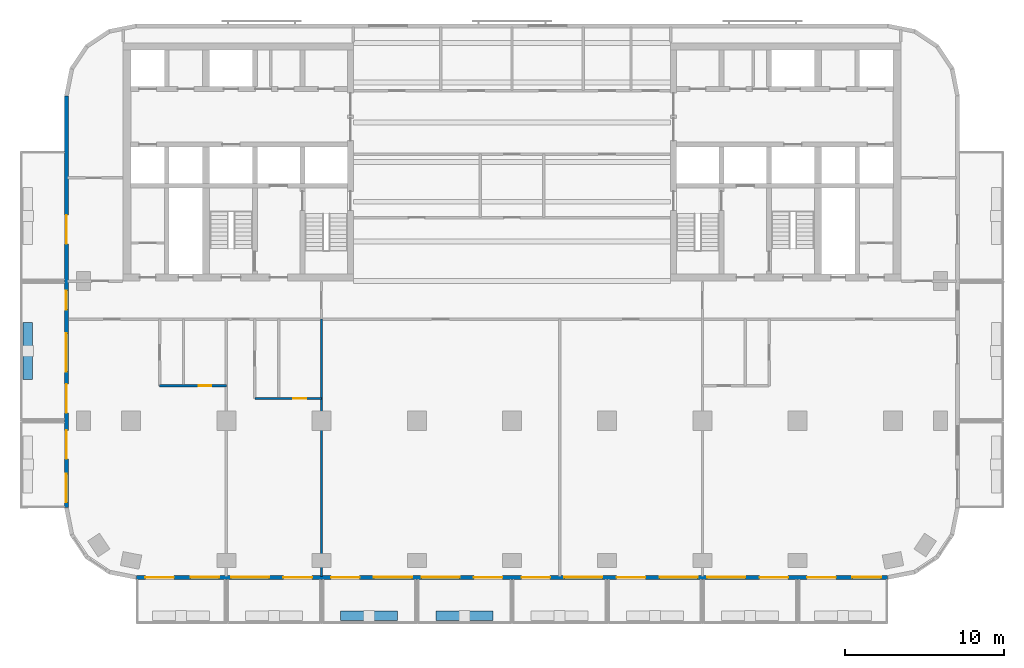
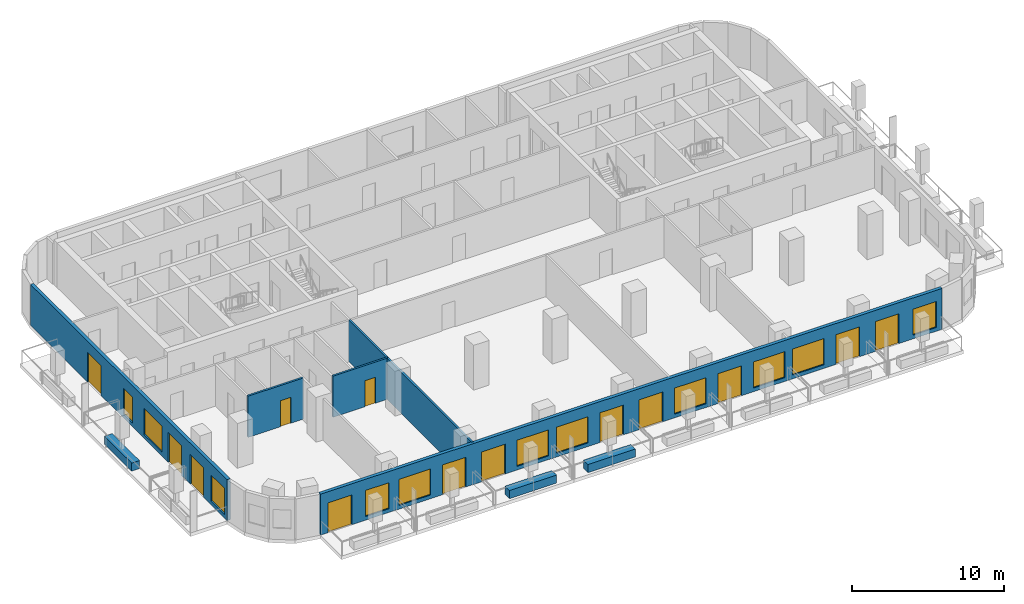
# One storey, part 2 of 11: 13 doors, 11 windows, 8 walls, 24 openings.
"""IFC4 building model written with IfcOpenShell, lengths in metres."""

from ifc_helpers import new_model, si_unit, direction, frame, frame_2d, origin, place, context, subcontext, project, spatial, rectangle, extrude, material, layer, layer_set, type_object, element, fill, save


model = new_model("IFC4")

# Units and contexts
model_context = context("Model", 3, precision=1e-05, world=origin(), true_north=direction((0.0, 1.0)))
body_context = subcontext(model_context, "Body", "Model", "MODEL_VIEW")
ifc_project = project(units=[si_unit("LENGTHUNIT", "METRE"), si_unit("AREAUNIT", "SQUARE_METRE"), si_unit("VOLUMEUNIT", "CUBIC_METRE"), si_unit("PLANEANGLEUNIT", "RADIAN"), si_unit("MASSUNIT", "GRAM", prefix="KILO")], contexts=[model_context])

# Site, building, storey
site_placement = place(None, origin())
site = spatial("IfcSite", under=ifc_project, at=site_placement, CompositionType="ELEMENT")
building_placement = place(site_placement, origin())
building = spatial("IfcBuilding", under=site, at=building_placement, Name="Torana Hotel and Residences", CompositionType="ELEMENT")
storey_placement = place(building_placement, frame((0.0, 0.0, 174.0)))
storey = spatial("IfcBuildingStorey", under=building, at=storey_placement, Name="L45", CompositionType="ELEMENT", Elevation=174.0)

# Wall, openings, doors, windows
ifc_material_1 = material(Name="Black aluminium composite panel", Category="aluminium")
ifc_layer_1 = layer(ifc_material_1, 0.00390625, Name="Cladding", Category="cladding")
ifc_material_2 = material(Name="Ventilated air cavity")
ifc_layer_2 = layer(ifc_material_2, 0.0400390625, Name="Ventilated cavity", Category="cavity")
ifc_material_3 = material(Name="Mineral wool insulation")
ifc_layer_3 = layer(ifc_material_3, 0.090087890625, Name="Insulation", Category="insulation")
ifc_material_4 = material(Name="Steel S280GD", Category="steel")
ifc_layer_4 = layer(ifc_material_4, 0.092041015625, Name="Steel stud frame", Category="structure")
ifc_material_5 = material(Name="Fire rated plasterboard")
ifc_layer_5 = layer(ifc_material_5, 0.011962890625, Name="Inner board", Category="finish")
ifc_layer_6 = layer(ifc_material_5, 0.011962890625, Name="Second board", Category="finish")
ifc_layer_set_1 = layer_set([ifc_layer_1, ifc_layer_2, ifc_layer_3, ifc_layer_4, ifc_layer_5, ifc_layer_6], Name="EW1 EXTERNAL WALL BLACK METAL CLAD 250")
wall_type_1 = type_object("IfcWallType", Name="EW1 EXTERNAL WALL BLACK METAL CLAD 250", PredefinedType="SOLIDWALL", material=ifc_layer_set_1)
wall_1_placement = place(storey_placement, frame((-28.074951171875, -3.32470703125, 0.0), z_axis=(0.0, 0.0, 1.0), x_axis=(0.0, -1.0, 0.0)))
wall_1 = element("IfcWall", 1, at=wall_1_placement, inside=storey, type_object=wall_type_1, Name="External wall L45 e0.9", PredefinedType="SOLIDWALL", context=body_context, shape_type="SweptSolid", body=[
    extrude(rectangle(XDim=25.95068359375, YDim=0.25, at=frame_2d((12.975341796875, 0.0))), origin(), (0.0, 0.0, 1.0), 3.300048828125),
])
opening_1_placement = place(wall_1_placement, frame((7.525390625, 0.0, 0.0)))
opening_1 = element("IfcOpeningElement", 2, at=opening_1_placement, cuts=wall_1, Name="Opening L45-E12", PredefinedType="OPENING", context=body_context, shape_type="SweptSolid", body=[
    extrude(rectangle(XDim=1.800048828125, YDim=2.39990234375, at=frame_2d((0.89990234375, 1.199951171875))), frame((0.0, 0.135009765625, 0.0), z_axis=(0.0, -1.0, 0.0), x_axis=(1.0, 0.0, 0.0)), (0.0, 0.0, 1.0), 0.27001953125),
])
opening_2_placement = place(wall_1_placement, frame((12.275390625, 0.0, 0.300048828125)))
opening_2 = element("IfcOpeningElement", 3, at=opening_2_placement, cuts=wall_1, Name="Opening W7", PredefinedType="OPENING", context=body_context, shape_type="SweptSolid", body=[
    extrude(rectangle(XDim=1.199951171875, YDim=2.10009765625, at=frame_2d((0.60009765625, 1.050048828125))), frame((0.0, 0.135009765625, 0.0), z_axis=(0.0, -1.0, 0.0), x_axis=(1.0, 0.0, 0.0)), (0.0, 0.0, 1.0), 0.27001953125),
])
opening_3_placement = place(wall_1_placement, frame((14.975341796875, 0.0, 0.300048828125)))
opening_3 = element("IfcOpeningElement", 4, at=opening_3_placement, cuts=wall_1, Name="Opening W1", PredefinedType="OPENING", context=body_context, shape_type="SweptSolid", body=[
    extrude(rectangle(XDim=2.39990234375, YDim=2.10009765625, at=frame_2d((1.199951171875, 1.050048828125))), frame((0.0, 0.135009765625, 0.0), z_axis=(0.0, -1.0, 0.0), x_axis=(1.0, 0.0, 0.0)), (0.0, 0.0, 1.0), 0.27001953125),
])
opening_4_placement = place(wall_1_placement, frame((18.17529296875, 0.0, 0.0)))
opening_4 = element("IfcOpeningElement", 5, at=opening_4_placement, cuts=wall_1, Name="Opening L45-E13", PredefinedType="OPENING", context=body_context, shape_type="SweptSolid", body=[
    extrude(rectangle(XDim=1.800048828125, YDim=2.39990234375, at=frame_2d((0.89990234375, 1.199951171875))), frame((0.0, 0.135009765625, 0.0), z_axis=(0.0, -1.0, 0.0), x_axis=(1.0, 0.0, 0.0)), (0.0, 0.0, 1.0), 0.27001953125),
])
opening_5_placement = place(wall_1_placement, frame((21.075439453125, 0.0, 0.0)))
opening_5 = element("IfcOpeningElement", 6, at=opening_5_placement, cuts=wall_1, Name="Opening L45-E14", PredefinedType="OPENING", context=body_context, shape_type="SweptSolid", body=[
    extrude(rectangle(XDim=1.800048828125, YDim=2.39990234375, at=frame_2d((0.89990234375, 1.199951171875))), frame((0.0, 0.135009765625, 0.0), z_axis=(0.0, -1.0, 0.0), x_axis=(1.0, 0.0, 0.0)), (0.0, 0.0, 1.0), 0.27001953125),
])
opening_6_placement = place(wall_1_placement, frame((23.825439453125, 0.0, 0.300048828125)))
opening_6 = element("IfcOpeningElement", 7, at=opening_6_placement, cuts=wall_1, Name="Opening W2", PredefinedType="OPENING", context=body_context, shape_type="SweptSolid", body=[
    extrude(rectangle(XDim=1.800048828125, YDim=2.10009765625, at=frame_2d((0.89990234375, 1.050048828125))), frame((0.0, 0.135009765625, 0.0), z_axis=(0.0, -1.0, 0.0), x_axis=(1.0, 0.0, 0.0)), (0.0, 0.0, 1.0), 0.27001953125),
])
ifc_material_6 = material(Name="Dark glass in black aluminium frame", Category="aluminium")
door_type_1 = type_object("IfcDoorType", Name="DB1 BALCONY DOOR 1800x2400", OperationType="DOUBLE_DOOR_SINGLE_SWING", PredefinedType="DOOR", material=ifc_material_6)
door_1_placement = place(opening_1_placement, origin())
door_1 = element("IfcDoor", 8, at=door_1_placement, inside=storey, type_object=door_type_1, Name="Balcony door L45", OperationType="DOUBLE_DOOR_SINGLE_SWING", OverallHeight=2.39990234375, OverallWidth=1.800048828125, PredefinedType="DOOR", context=body_context, shape_type="SweptSolid", body=[
    extrude(rectangle(XDim=1.800048828125, YDim=2.39990234375, at=frame_2d((0.89990234375, 1.199951171875))), frame((0.0, 0.02490234375, 0.0), z_axis=(0.0, -1.0, 0.0), x_axis=(1.0, 0.0, 0.0)), (0.0, 0.0, 1.0), 0.050048828125),
])
fill(opening_1, door_1)
door_2_placement = place(opening_4_placement, frame((0.89990234375, 0.0, 0.0), z_axis=(0.0, 0.0, 1.0), x_axis=(-1.0, 0.0, 0.0)))
door_2 = element("IfcDoor", 9, at=door_2_placement, inside=storey, type_object=door_type_1, Name="Balcony door L45", OperationType="DOUBLE_DOOR_SINGLE_SWING", OverallHeight=2.39990234375, OverallWidth=1.800048828125, PredefinedType="DOOR", context=body_context, shape_type="SweptSolid", body=[
    extrude(rectangle(XDim=1.800048828125, YDim=2.39990234375, at=frame_2d((0.0, 1.199951171875))), frame((0.0, -0.02490234375, 0.0), z_axis=(0.0, 1.0, 0.0), x_axis=(-1.0, 0.0, 0.0)), (0.0, 0.0, 1.0), 0.050048828125),
])
fill(opening_4, door_2)
door_3_placement = place(opening_5_placement, origin())
door_3 = element("IfcDoor", 10, at=door_3_placement, inside=storey, type_object=door_type_1, Name="Balcony door L45", OperationType="DOUBLE_DOOR_SINGLE_SWING", OverallHeight=2.39990234375, OverallWidth=1.800048828125, PredefinedType="DOOR", context=body_context, shape_type="SweptSolid", body=[
    extrude(rectangle(XDim=1.800048828125, YDim=2.39990234375, at=frame_2d((0.89990234375, 1.199951171875))), frame((0.0, 0.02490234375, 0.0), z_axis=(0.0, -1.0, 0.0), x_axis=(1.0, 0.0, 0.0)), (0.0, 0.0, 1.0), 0.050048828125),
])
fill(opening_5, door_3)
ifc_material_7 = material(Name="Dark glass in black aluminium frame", Category="aluminium")
window_type_1 = type_object("IfcWindowType", Name="W1 HOTEL ROOM WINDOW 2400x2100", PartitioningType="SINGLE_PANEL", PredefinedType="WINDOW", material=ifc_material_7)
window_1_placement = place(opening_3_placement, origin())
window_1 = element("IfcWindow", 11, at=window_1_placement, inside=storey, type_object=window_type_1, Name="Window L45", OverallHeight=2.10009765625, OverallWidth=2.39990234375, PartitioningType="SINGLE_PANEL", PredefinedType="WINDOW", context=body_context, shape_type="SweptSolid", body=[
    extrude(rectangle(XDim=2.39990234375, YDim=2.10009765625, at=frame_2d((1.199951171875, 1.050048828125))), frame((0.0, 0.030029296875, 0.0), z_axis=(0.0, -1.0, 0.0), x_axis=(1.0, 0.0, 0.0)), (0.0, 0.0, 1.0), 0.06005859375),
])
fill(opening_3, window_1)
ifc_material_8 = material(Name="Dark glass in black aluminium frame", Category="aluminium")
window_type_2 = type_object("IfcWindowType", Name="W2 HOTEL ROOM WINDOW NARROW 1800x2100", PartitioningType="SINGLE_PANEL", PredefinedType="WINDOW", material=ifc_material_8)
window_2_placement = place(opening_6_placement, origin())
window_2 = element("IfcWindow", 12, at=window_2_placement, inside=storey, type_object=window_type_2, Name="Window L45", OverallHeight=2.10009765625, OverallWidth=1.800048828125, PartitioningType="SINGLE_PANEL", PredefinedType="WINDOW", context=body_context, shape_type="SweptSolid", body=[
    extrude(rectangle(XDim=1.800048828125, YDim=2.10009765625, at=frame_2d((0.89990234375, 1.050048828125))), frame((0.0, 0.030029296875, 0.0), z_axis=(0.0, -1.0, 0.0), x_axis=(1.0, 0.0, 0.0)), (0.0, 0.0, 1.0), 0.06005859375),
])
fill(opening_6, window_2)
ifc_material_9 = material(Name="Dark glass in black aluminium frame", Category="aluminium")
window_type_3 = type_object("IfcWindowType", Name="W7 HOTEL CORRIDOR WINDOW 1200x2100", PartitioningType="SINGLE_PANEL", PredefinedType="WINDOW", material=ifc_material_9)
window_3_placement = place(opening_2_placement, origin())
window_3 = element("IfcWindow", 13, at=window_3_placement, inside=storey, type_object=window_type_3, Name="Window L45", OverallHeight=2.10009765625, OverallWidth=1.199951171875, PartitioningType="SINGLE_PANEL", PredefinedType="WINDOW", context=body_context, shape_type="SweptSolid", body=[
    extrude(rectangle(XDim=1.199951171875, YDim=2.10009765625, at=frame_2d((0.60009765625, 1.050048828125))), frame((0.0, 0.030029296875, 0.0), z_axis=(0.0, -1.0, 0.0), x_axis=(1.0, 0.0, 0.0)), (0.0, 0.0, 1.0), 0.06005859375),
])
fill(opening_2, window_3)

wall_2_placement = place(storey_placement, frame((-23.67529296875, -33.675048828125, 0.0), z_axis=(0.0, 0.0, 1.0), x_axis=(1.0, 0.0, 0.0)))
wall_2 = element("IfcWall", 14, at=wall_2_placement, inside=storey, type_object=wall_type_1, Name="External wall L45 e0.14", PredefinedType="SOLIDWALL", context=body_context, shape_type="SweptSolid", body=[
    extrude(rectangle(XDim=47.3505859375, YDim=0.25, at=frame_2d((23.67529296875, 0.0))), origin(), (0.0, 0.0, 1.0), 3.300048828125),
])
opening_7_placement = place(wall_2_placement, frame((0.575439453125, 0.0, 0.0)))
opening_7 = element("IfcOpeningElement", 15, at=opening_7_placement, cuts=wall_2, Name="Opening L45-E01", PredefinedType="OPENING", context=body_context, shape_type="SweptSolid", body=[
    extrude(rectangle(XDim=1.800048828125, YDim=2.39990234375, at=frame_2d((0.89990234375, 1.199951171875))), frame((0.0, 0.135009765625, 0.0), z_axis=(0.0, -1.0, 0.0), x_axis=(1.0, 0.0, 0.0)), (0.0, 0.0, 1.0), 0.27001953125),
])
opening_8_placement = place(wall_2_placement, frame((3.42529296875, 0.0, 0.300048828125)))
opening_8 = element("IfcOpeningElement", 16, at=opening_8_placement, cuts=wall_2, Name="Opening W2", PredefinedType="OPENING", context=body_context, shape_type="SweptSolid", body=[
    extrude(rectangle(XDim=1.800048828125, YDim=2.10009765625, at=frame_2d((0.89990234375, 1.050048828125))), frame((0.0, 0.135009765625, 0.0), z_axis=(0.0, -1.0, 0.0), x_axis=(1.0, 0.0, 0.0)), (0.0, 0.0, 1.0), 0.27001953125),
])
opening_9_placement = place(wall_2_placement, frame((5.975341796875, 0.0, 0.300048828125)))
opening_9 = element("IfcOpeningElement", 17, at=opening_9_placement, cuts=wall_2, Name="Opening W1", PredefinedType="OPENING", context=body_context, shape_type="SweptSolid", body=[
    extrude(rectangle(XDim=2.39990234375, YDim=2.10009765625, at=frame_2d((1.199951171875, 1.050048828125))), frame((0.0, 0.135009765625, 0.0), z_axis=(0.0, -1.0, 0.0), x_axis=(1.0, 0.0, 0.0)), (0.0, 0.0, 1.0), 0.27001953125),
])
opening_10_placement = place(wall_2_placement, frame((9.275390625, 0.0, 0.0)))
opening_10 = element("IfcOpeningElement", 18, at=opening_10_placement, cuts=wall_2, Name="Opening L45-E02", PredefinedType="OPENING", context=body_context, shape_type="SweptSolid", body=[
    extrude(rectangle(XDim=1.800048828125, YDim=2.39990234375, at=frame_2d((0.89990234375, 1.199951171875))), frame((0.0, 0.135009765625, 0.0), z_axis=(0.0, -1.0, 0.0), x_axis=(1.0, 0.0, 0.0)), (0.0, 0.0, 1.0), 0.27001953125),
])
opening_11_placement = place(wall_2_placement, frame((12.275390625, 0.0, 0.0)))
opening_11 = element("IfcOpeningElement", 19, at=opening_11_placement, cuts=wall_2, Name="Opening L45-E03", PredefinedType="OPENING", context=body_context, shape_type="SweptSolid", body=[
    extrude(rectangle(XDim=1.800048828125, YDim=2.39990234375, at=frame_2d((0.89990234375, 1.199951171875))), frame((0.0, 0.135009765625, 0.0), z_axis=(0.0, -1.0, 0.0), x_axis=(1.0, 0.0, 0.0)), (0.0, 0.0, 1.0), 0.27001953125),
])
opening_12_placement = place(wall_2_placement, frame((14.975341796875, 0.0, 0.300048828125)))
opening_12 = element("IfcOpeningElement", 20, at=opening_12_placement, cuts=wall_2, Name="Opening W1", PredefinedType="OPENING", context=body_context, shape_type="SweptSolid", body=[
    extrude(rectangle(XDim=2.39990234375, YDim=2.10009765625, at=frame_2d((1.199951171875, 1.050048828125))), frame((0.0, 0.135009765625, 0.0), z_axis=(0.0, -1.0, 0.0), x_axis=(1.0, 0.0, 0.0)), (0.0, 0.0, 1.0), 0.27001953125),
])
opening_13_placement = place(wall_2_placement, frame((17.975341796875, 0.0, 0.300048828125)))
opening_13 = element("IfcOpeningElement", 21, at=opening_13_placement, cuts=wall_2, Name="Opening W1", PredefinedType="OPENING", context=body_context, shape_type="SweptSolid", body=[
    extrude(rectangle(XDim=2.39990234375, YDim=2.10009765625, at=frame_2d((1.199951171875, 1.050048828125))), frame((0.0, 0.135009765625, 0.0), z_axis=(0.0, -1.0, 0.0), x_axis=(1.0, 0.0, 0.0)), (0.0, 0.0, 1.0), 0.27001953125),
])
opening_14_placement = place(wall_2_placement, frame((21.275390625, 0.0, 0.0)))
opening_14 = element("IfcOpeningElement", 22, at=opening_14_placement, cuts=wall_2, Name="Opening L45-E04", PredefinedType="OPENING", context=body_context, shape_type="SweptSolid", body=[
    extrude(rectangle(XDim=1.800048828125, YDim=2.39990234375, at=frame_2d((0.89990234375, 1.199951171875))), frame((0.0, 0.135009765625, 0.0), z_axis=(0.0, -1.0, 0.0), x_axis=(1.0, 0.0, 0.0)), (0.0, 0.0, 1.0), 0.27001953125),
])
opening_15_placement = place(wall_2_placement, frame((24.275390625, 0.0, 0.0)))
opening_15 = element("IfcOpeningElement", 23, at=opening_15_placement, cuts=wall_2, Name="Opening L45-E05", PredefinedType="OPENING", context=body_context, shape_type="SweptSolid", body=[
    extrude(rectangle(XDim=1.800048828125, YDim=2.39990234375, at=frame_2d((0.89990234375, 1.199951171875))), frame((0.0, 0.135009765625, 0.0), z_axis=(0.0, -1.0, 0.0), x_axis=(1.0, 0.0, 0.0)), (0.0, 0.0, 1.0), 0.27001953125),
])
opening_16_placement = place(wall_2_placement, frame((26.975341796875, 0.0, 0.300048828125)))
opening_16 = element("IfcOpeningElement", 24, at=opening_16_placement, cuts=wall_2, Name="Opening W1", PredefinedType="OPENING", context=body_context, shape_type="SweptSolid", body=[
    extrude(rectangle(XDim=2.39990234375, YDim=2.10009765625, at=frame_2d((1.199951171875, 1.050048828125))), frame((0.0, 0.135009765625, 0.0), z_axis=(0.0, -1.0, 0.0), x_axis=(1.0, 0.0, 0.0)), (0.0, 0.0, 1.0), 0.27001953125),
])
opening_17_placement = place(wall_2_placement, frame((30.275390625, 0.0, 0.0)))
opening_17 = element("IfcOpeningElement", 25, at=opening_17_placement, cuts=wall_2, Name="Opening L45-E06", PredefinedType="OPENING", context=body_context, shape_type="SweptSolid", body=[
    extrude(rectangle(XDim=1.800048828125, YDim=2.39990234375, at=frame_2d((0.89990234375, 1.199951171875))), frame((0.0, 0.135009765625, 0.0), z_axis=(0.0, -1.0, 0.0), x_axis=(1.0, 0.0, 0.0)), (0.0, 0.0, 1.0), 0.27001953125),
])
opening_18_placement = place(wall_2_placement, frame((32.975341796875, 0.0, 0.300048828125)))
opening_18 = element("IfcOpeningElement", 26, at=opening_18_placement, cuts=wall_2, Name="Opening W1", PredefinedType="OPENING", context=body_context, shape_type="SweptSolid", body=[
    extrude(rectangle(XDim=2.39990234375, YDim=2.10009765625, at=frame_2d((1.199951171875, 1.050048828125))), frame((0.0, 0.135009765625, 0.0), z_axis=(0.0, -1.0, 0.0), x_axis=(1.0, 0.0, 0.0)), (0.0, 0.0, 1.0), 0.27001953125),
])
opening_19_placement = place(wall_2_placement, frame((35.975341796875, 0.0, 0.300048828125)))
opening_19 = element("IfcOpeningElement", 27, at=opening_19_placement, cuts=wall_2, Name="Opening W1", PredefinedType="OPENING", context=body_context, shape_type="SweptSolid", body=[
    extrude(rectangle(XDim=2.39990234375, YDim=2.10009765625, at=frame_2d((1.199951171875, 1.050048828125))), frame((0.0, 0.135009765625, 0.0), z_axis=(0.0, -1.0, 0.0), x_axis=(1.0, 0.0, 0.0)), (0.0, 0.0, 1.0), 0.27001953125),
])
opening_20_placement = place(wall_2_placement, frame((39.275390625, 0.0, 0.0)))
opening_20 = element("IfcOpeningElement", 28, at=opening_20_placement, cuts=wall_2, Name="Opening L45-E07", PredefinedType="OPENING", context=body_context, shape_type="SweptSolid", body=[
    extrude(rectangle(XDim=1.800048828125, YDim=2.39990234375, at=frame_2d((0.89990234375, 1.199951171875))), frame((0.0, 0.135009765625, 0.0), z_axis=(0.0, -1.0, 0.0), x_axis=(1.0, 0.0, 0.0)), (0.0, 0.0, 1.0), 0.27001953125),
])
opening_21_placement = place(wall_2_placement, frame((42.275390625, 0.0, 0.0)))
opening_21 = element("IfcOpeningElement", 29, at=opening_21_placement, cuts=wall_2, Name="Opening L45-E08", PredefinedType="OPENING", context=body_context, shape_type="SweptSolid", body=[
    extrude(rectangle(XDim=1.800048828125, YDim=2.39990234375, at=frame_2d((0.89990234375, 1.199951171875))), frame((0.0, 0.135009765625, 0.0), z_axis=(0.0, -1.0, 0.0), x_axis=(1.0, 0.0, 0.0)), (0.0, 0.0, 1.0), 0.27001953125),
])
opening_22_placement = place(wall_2_placement, frame((45.12548828125, 0.0, 0.300048828125)))
opening_22 = element("IfcOpeningElement", 30, at=opening_22_placement, cuts=wall_2, Name="Opening W2", PredefinedType="OPENING", context=body_context, shape_type="SweptSolid", body=[
    extrude(rectangle(XDim=1.800048828125, YDim=2.10009765625, at=frame_2d((0.89990234375, 1.050048828125))), frame((0.0, 0.135009765625, 0.0), z_axis=(0.0, -1.0, 0.0), x_axis=(1.0, 0.0, 0.0)), (0.0, 0.0, 1.0), 0.27001953125),
])
door_4_placement = place(opening_7_placement, origin())
door_4 = element("IfcDoor", 31, at=door_4_placement, inside=storey, type_object=door_type_1, Name="Balcony door L45", OperationType="DOUBLE_DOOR_SINGLE_SWING", OverallHeight=2.39990234375, OverallWidth=1.800048828125, PredefinedType="DOOR", context=body_context, shape_type="SweptSolid", body=[
    extrude(rectangle(XDim=1.800048828125, YDim=2.39990234375, at=frame_2d((0.89990234375, 1.199951171875))), frame((0.0, 0.02490234375, 0.0), z_axis=(0.0, -1.0, 0.0), x_axis=(1.0, 0.0, 0.0)), (0.0, 0.0, 1.0), 0.050048828125),
])
fill(opening_7, door_4)
door_5_placement = place(opening_10_placement, origin())
door_5 = element("IfcDoor", 32, at=door_5_placement, inside=storey, type_object=door_type_1, Name="Balcony door L45", OperationType="DOUBLE_DOOR_SINGLE_SWING", OverallHeight=2.39990234375, OverallWidth=1.800048828125, PredefinedType="DOOR", context=body_context, shape_type="SweptSolid", body=[
    extrude(rectangle(XDim=1.800048828125, YDim=2.39990234375, at=frame_2d((0.89990234375, 1.199951171875))), frame((0.0, 0.02490234375, 0.0), z_axis=(0.0, -1.0, 0.0), x_axis=(1.0, 0.0, 0.0)), (0.0, 0.0, 1.0), 0.050048828125),
])
fill(opening_10, door_5)
door_6_placement = place(opening_11_placement, origin())
door_6 = element("IfcDoor", 33, at=door_6_placement, inside=storey, type_object=door_type_1, Name="Balcony door L45", OperationType="DOUBLE_DOOR_SINGLE_SWING", OverallHeight=2.39990234375, OverallWidth=1.800048828125, PredefinedType="DOOR", context=body_context, shape_type="SweptSolid", body=[
    extrude(rectangle(XDim=1.800048828125, YDim=2.39990234375, at=frame_2d((0.89990234375, 1.199951171875))), frame((0.0, 0.02490234375, 0.0), z_axis=(0.0, -1.0, 0.0), x_axis=(1.0, 0.0, 0.0)), (0.0, 0.0, 1.0), 0.050048828125),
])
fill(opening_11, door_6)
door_7_placement = place(opening_14_placement, origin())
door_7 = element("IfcDoor", 34, at=door_7_placement, inside=storey, type_object=door_type_1, Name="Balcony door L45", OperationType="DOUBLE_DOOR_SINGLE_SWING", OverallHeight=2.39990234375, OverallWidth=1.800048828125, PredefinedType="DOOR", context=body_context, shape_type="SweptSolid", body=[
    extrude(rectangle(XDim=1.800048828125, YDim=2.39990234375, at=frame_2d((0.89990234375, 1.199951171875))), frame((0.0, 0.02490234375, 0.0), z_axis=(0.0, -1.0, 0.0), x_axis=(1.0, 0.0, 0.0)), (0.0, 0.0, 1.0), 0.050048828125),
])
fill(opening_14, door_7)
door_8_placement = place(opening_15_placement, origin())
door_8 = element("IfcDoor", 35, at=door_8_placement, inside=storey, type_object=door_type_1, Name="Balcony door L45", OperationType="DOUBLE_DOOR_SINGLE_SWING", OverallHeight=2.39990234375, OverallWidth=1.800048828125, PredefinedType="DOOR", context=body_context, shape_type="SweptSolid", body=[
    extrude(rectangle(XDim=1.800048828125, YDim=2.39990234375, at=frame_2d((0.89990234375, 1.199951171875))), frame((0.0, 0.02490234375, 0.0), z_axis=(0.0, -1.0, 0.0), x_axis=(1.0, 0.0, 0.0)), (0.0, 0.0, 1.0), 0.050048828125),
])
fill(opening_15, door_8)
door_9_placement = place(opening_17_placement, origin())
door_9 = element("IfcDoor", 36, at=door_9_placement, inside=storey, type_object=door_type_1, Name="Balcony door L45", OperationType="DOUBLE_DOOR_SINGLE_SWING", OverallHeight=2.39990234375, OverallWidth=1.800048828125, PredefinedType="DOOR", context=body_context, shape_type="SweptSolid", body=[
    extrude(rectangle(XDim=1.800048828125, YDim=2.39990234375, at=frame_2d((0.89990234375, 1.199951171875))), frame((0.0, 0.02490234375, 0.0), z_axis=(0.0, -1.0, 0.0), x_axis=(1.0, 0.0, 0.0)), (0.0, 0.0, 1.0), 0.050048828125),
])
fill(opening_17, door_9)
door_10_placement = place(opening_20_placement, origin())
door_10 = element("IfcDoor", 37, at=door_10_placement, inside=storey, type_object=door_type_1, Name="Balcony door L45", OperationType="DOUBLE_DOOR_SINGLE_SWING", OverallHeight=2.39990234375, OverallWidth=1.800048828125, PredefinedType="DOOR", context=body_context, shape_type="SweptSolid", body=[
    extrude(rectangle(XDim=1.800048828125, YDim=2.39990234375, at=frame_2d((0.89990234375, 1.199951171875))), frame((0.0, 0.02490234375, 0.0), z_axis=(0.0, -1.0, 0.0), x_axis=(1.0, 0.0, 0.0)), (0.0, 0.0, 1.0), 0.050048828125),
])
fill(opening_20, door_10)
door_11_placement = place(opening_21_placement, origin())
door_11 = element("IfcDoor", 38, at=door_11_placement, inside=storey, type_object=door_type_1, Name="Balcony door L45", OperationType="DOUBLE_DOOR_SINGLE_SWING", OverallHeight=2.39990234375, OverallWidth=1.800048828125, PredefinedType="DOOR", context=body_context, shape_type="SweptSolid", body=[
    extrude(rectangle(XDim=1.800048828125, YDim=2.39990234375, at=frame_2d((0.89990234375, 1.199951171875))), frame((0.0, 0.02490234375, 0.0), z_axis=(0.0, -1.0, 0.0), x_axis=(1.0, 0.0, 0.0)), (0.0, 0.0, 1.0), 0.050048828125),
])
fill(opening_21, door_11)
window_4_placement = place(opening_9_placement, origin())
window_4 = element("IfcWindow", 39, at=window_4_placement, inside=storey, type_object=window_type_1, Name="Window L45", OverallHeight=2.10009765625, OverallWidth=2.39990234375, PartitioningType="SINGLE_PANEL", PredefinedType="WINDOW", context=body_context, shape_type="SweptSolid", body=[
    extrude(rectangle(XDim=2.39990234375, YDim=2.10009765625, at=frame_2d((1.199951171875, 1.050048828125))), frame((0.0, 0.030029296875, 0.0), z_axis=(0.0, -1.0, 0.0), x_axis=(1.0, 0.0, 0.0)), (0.0, 0.0, 1.0), 0.06005859375),
])
fill(opening_9, window_4)
window_5_placement = place(opening_12_placement, origin())
window_5 = element("IfcWindow", 40, at=window_5_placement, inside=storey, type_object=window_type_1, Name="Window L45", OverallHeight=2.10009765625, OverallWidth=2.39990234375, PartitioningType="SINGLE_PANEL", PredefinedType="WINDOW", context=body_context, shape_type="SweptSolid", body=[
    extrude(rectangle(XDim=2.39990234375, YDim=2.10009765625, at=frame_2d((1.199951171875, 1.050048828125))), frame((0.0, 0.030029296875, 0.0), z_axis=(0.0, -1.0, 0.0), x_axis=(1.0, 0.0, 0.0)), (0.0, 0.0, 1.0), 0.06005859375),
])
fill(opening_12, window_5)
window_6_placement = place(opening_13_placement, origin())
window_6 = element("IfcWindow", 41, at=window_6_placement, inside=storey, type_object=window_type_1, Name="Window L45", OverallHeight=2.10009765625, OverallWidth=2.39990234375, PartitioningType="SINGLE_PANEL", PredefinedType="WINDOW", context=body_context, shape_type="SweptSolid", body=[
    extrude(rectangle(XDim=2.39990234375, YDim=2.10009765625, at=frame_2d((1.199951171875, 1.050048828125))), frame((0.0, 0.030029296875, 0.0), z_axis=(0.0, -1.0, 0.0), x_axis=(1.0, 0.0, 0.0)), (0.0, 0.0, 1.0), 0.06005859375),
])
fill(opening_13, window_6)
window_7_placement = place(opening_16_placement, origin())
window_7 = element("IfcWindow", 42, at=window_7_placement, inside=storey, type_object=window_type_1, Name="Window L45", OverallHeight=2.10009765625, OverallWidth=2.39990234375, PartitioningType="SINGLE_PANEL", PredefinedType="WINDOW", context=body_context, shape_type="SweptSolid", body=[
    extrude(rectangle(XDim=2.39990234375, YDim=2.10009765625, at=frame_2d((1.199951171875, 1.050048828125))), frame((0.0, 0.030029296875, 0.0), z_axis=(0.0, -1.0, 0.0), x_axis=(1.0, 0.0, 0.0)), (0.0, 0.0, 1.0), 0.06005859375),
])
fill(opening_16, window_7)
window_8_placement = place(opening_18_placement, origin())
window_8 = element("IfcWindow", 43, at=window_8_placement, inside=storey, type_object=window_type_1, Name="Window L45", OverallHeight=2.10009765625, OverallWidth=2.39990234375, PartitioningType="SINGLE_PANEL", PredefinedType="WINDOW", context=body_context, shape_type="SweptSolid", body=[
    extrude(rectangle(XDim=2.39990234375, YDim=2.10009765625, at=frame_2d((1.199951171875, 1.050048828125))), frame((0.0, 0.030029296875, 0.0), z_axis=(0.0, -1.0, 0.0), x_axis=(1.0, 0.0, 0.0)), (0.0, 0.0, 1.0), 0.06005859375),
])
fill(opening_18, window_8)
window_9_placement = place(opening_19_placement, origin())
window_9 = element("IfcWindow", 44, at=window_9_placement, inside=storey, type_object=window_type_1, Name="Window L45", OverallHeight=2.10009765625, OverallWidth=2.39990234375, PartitioningType="SINGLE_PANEL", PredefinedType="WINDOW", context=body_context, shape_type="SweptSolid", body=[
    extrude(rectangle(XDim=2.39990234375, YDim=2.10009765625, at=frame_2d((1.199951171875, 1.050048828125))), frame((0.0, 0.030029296875, 0.0), z_axis=(0.0, -1.0, 0.0), x_axis=(1.0, 0.0, 0.0)), (0.0, 0.0, 1.0), 0.06005859375),
])
fill(opening_19, window_9)
window_10_placement = place(opening_8_placement, origin())
window_10 = element("IfcWindow", 45, at=window_10_placement, inside=storey, type_object=window_type_2, Name="Window L45", OverallHeight=2.10009765625, OverallWidth=1.800048828125, PartitioningType="SINGLE_PANEL", PredefinedType="WINDOW", context=body_context, shape_type="SweptSolid", body=[
    extrude(rectangle(XDim=1.800048828125, YDim=2.10009765625, at=frame_2d((0.89990234375, 1.050048828125))), frame((0.0, 0.030029296875, 0.0), z_axis=(0.0, -1.0, 0.0), x_axis=(1.0, 0.0, 0.0)), (0.0, 0.0, 1.0), 0.06005859375),
])
fill(opening_8, window_10)
window_11_placement = place(opening_22_placement, origin())
window_11 = element("IfcWindow", 46, at=window_11_placement, inside=storey, type_object=window_type_2, Name="Window L45", OverallHeight=2.10009765625, OverallWidth=1.800048828125, PartitioningType="SINGLE_PANEL", PredefinedType="WINDOW", context=body_context, shape_type="SweptSolid", body=[
    extrude(rectangle(XDim=1.800048828125, YDim=2.10009765625, at=frame_2d((0.89990234375, 1.050048828125))), frame((0.0, 0.030029296875, 0.0), z_axis=(0.0, -1.0, 0.0), x_axis=(1.0, 0.0, 0.0)), (0.0, 0.0, 1.0), 0.06005859375),
])
fill(opening_22, window_11)

# Wall
ifc_material_10 = material(Name="Gypsum plasterboard")
ifc_layer_7 = layer(ifc_material_10, 0.012451171875, Name="Plasterboard", Category="finish")
ifc_layer_8 = layer(ifc_material_10, 0.012451171875, Name="Plasterboard", Category="finish")
ifc_layer_9 = layer(ifc_material_4, 0.10009765625, Name="Steel studs with mineral wool", Category="insulation")
ifc_layer_10 = layer(ifc_material_10, 0.012451171875, Name="Plasterboard", Category="finish")
ifc_layer_11 = layer(ifc_material_10, 0.012451171875, Name="Plasterboard", Category="finish")
ifc_layer_set_2 = layer_set([ifc_layer_7, ifc_layer_8, ifc_layer_9, ifc_layer_10, ifc_layer_11], Name="PARTITION 150 PLASTERBOARD")
wall_type_2 = type_object("IfcWallType", Name="PARTITION 150 PLASTERBOARD", PredefinedType="PARTITIONING", material=ifc_layer_set_2)
wall_3_placement = place(storey_placement, frame((-12.0, -33.6201171875, 0.0), z_axis=(0.0, 0.0, 1.0), x_axis=(0.0, 1.0, 0.0)))
element("IfcWall", 47, at=wall_3_placement, inside=storey, type_object=wall_type_2, Name="Partition L45", PredefinedType="PARTITIONING", context=body_context, shape_type="SweptSolid", body=[
    extrude(rectangle(XDim=16.22021484375, YDim=0.14990234375, at=frame_2d((8.110107421875, 0.0))), origin(), (0.0, 0.0, 1.0), 3.320068359375),
])

# Wall, opening, door
wall_4_placement = place(storey_placement, frame((-16.199951171875, -22.39990234375, 0.0), z_axis=(0.0, 0.0, 1.0), x_axis=(1.0, 0.0, 0.0)))
wall_4 = element("IfcWall", 48, at=wall_4_placement, inside=storey, type_object=wall_type_2, Name="Partition L45", PredefinedType="PARTITIONING", context=body_context, shape_type="SweptSolid", body=[
    extrude(rectangle(XDim=4.199951171875, YDim=0.14990234375, at=frame_2d((2.10009765625, 0.0))), origin(), (0.0, 0.0, 1.0), 3.320068359375),
])
opening_23_placement = place(wall_4_placement, frame((2.429931640625, 0.0, 0.0)))
opening_23 = element("IfcOpeningElement", 49, at=opening_23_placement, cuts=wall_4, Name="Opening L45-50", PredefinedType="OPENING", context=body_context, shape_type="SweptSolid", body=[
    extrude(rectangle(XDim=0.800048828125, YDim=2.10009765625, at=frame_2d((0.39990234375, 1.050048828125))), frame((0.0, 0.0849609375, 0.0), z_axis=(0.0, -1.0, 0.0), x_axis=(1.0, 0.0, 0.0)), (0.0, 0.0, 1.0), 0.169921875),
])
ifc_material_11 = material(Name="Timber door, painted", Category="wood")
door_type_2 = type_object("IfcDoorType", Name="BATH DOOR D13 800x2100", OperationType="SINGLE_SWING_LEFT", PredefinedType="DOOR", material=ifc_material_11)
door_12_placement = place(opening_23_placement, origin())
door_12 = element("IfcDoor", 50, at=door_12_placement, inside=storey, type_object=door_type_2, Name="Door L45", OperationType="SINGLE_SWING_RIGHT", OverallHeight=2.10009765625, OverallWidth=0.800048828125, PredefinedType="DOOR", context=body_context, shape_type="SweptSolid", body=[
    extrude(rectangle(XDim=0.800048828125, YDim=2.10009765625, at=frame_2d((0.39990234375, 1.050048828125))), frame((0.0, 0.02490234375, 0.0), z_axis=(0.0, -1.0, 0.0), x_axis=(1.0, 0.0, 0.0)), (0.0, 0.0, 1.0), 0.050048828125),
])
fill(opening_23, door_12)

wall_5_placement = place(storey_placement, frame((-22.199951171875, -21.60009765625, 0.0), z_axis=(0.0, 0.0, 1.0), x_axis=(1.0, 0.0, 0.0)))
wall_5 = element("IfcWall", 51, at=wall_5_placement, inside=storey, type_object=wall_type_2, Name="Partition L45", PredefinedType="PARTITIONING", context=body_context, shape_type="SweptSolid", body=[
    extrude(rectangle(XDim=4.199951171875, YDim=0.14990234375, at=frame_2d((2.10009765625, 0.0))), origin(), (0.0, 0.0, 1.0), 3.320068359375),
])
opening_24_placement = place(wall_5_placement, frame((2.449951171875, 0.0, 0.0)))
opening_24 = element("IfcOpeningElement", 52, at=opening_24_placement, cuts=wall_5, Name="Opening L45-51", PredefinedType="OPENING", context=body_context, shape_type="SweptSolid", body=[
    extrude(rectangle(XDim=0.800048828125, YDim=2.10009765625, at=frame_2d((0.39990234375, 1.050048828125))), frame((0.0, 0.0849609375, 0.0), z_axis=(0.0, -1.0, 0.0), x_axis=(1.0, 0.0, 0.0)), (0.0, 0.0, 1.0), 0.169921875),
])
door_13_placement = place(opening_24_placement, origin())
door_13 = element("IfcDoor", 53, at=door_13_placement, inside=storey, type_object=door_type_2, Name="Door L45", OperationType="SINGLE_SWING_RIGHT", OverallHeight=2.10009765625, OverallWidth=0.800048828125, PredefinedType="DOOR", context=body_context, shape_type="SweptSolid", body=[
    extrude(rectangle(XDim=0.800048828125, YDim=2.10009765625, at=frame_2d((0.39990234375, 1.050048828125))), frame((0.0, 0.02490234375, 0.0), z_axis=(0.0, -1.0, 0.0), x_axis=(1.0, 0.0, 0.0)), (0.0, 0.0, 1.0), 0.050048828125),
])
fill(opening_24, door_13)

# Walls
ifc_material_12 = material(Name="Concrete C40/50 precast", Category="concrete")
ifc_layer_12 = layer(ifc_material_12, 0.10009765625, Name="Planter shell", Category="structure")
ifc_material_13 = material(Name="Root resistant membrane")
ifc_layer_13 = layer(ifc_material_13, 0.00390625, Name="Waterproofing membrane", Category="membrane")
ifc_material_14 = material(Name="Drainage board with filter fleece")
ifc_layer_14 = layer(ifc_material_14, 0.02001953125, Name="Drainage board", Category="drainage")
ifc_material_15 = material(Name="Growing medium")
ifc_layer_15 = layer(ifc_material_15, 0.47607421875, Name="Planting substrate", Category="soil")
ifc_layer_set_3 = layer_set([ifc_layer_12, ifc_layer_13, ifc_layer_14, ifc_layer_15], Name="PL1 BALCONY PLANTER 600")
wall_type_3 = type_object("IfcWallType", Name="PL1 BALCONY PLANTER 600", PredefinedType="USERDEFINED", material=ifc_layer_set_3)
for number, where, z_axis, x_axis, name in (
    (54, (-7.199951171875, -36.10009765625, 0.0), (0.0, 0.0, 1.0), (-1.0, 0.0, 0.0), "Planter 03"),
    (55, (-1.199951171875, -36.10009765625, 0.0), (0.0, 0.0, 1.0), (-1.0, 0.0, 0.0), "Planter 04"),
):
    element("IfcWall", number, at=place(storey_placement, frame(where, z_axis=z_axis, x_axis=x_axis)), inside=storey, type_object=wall_type_3, Name=name, ObjectType="PLANTER", PredefinedType="USERDEFINED", context=body_context, shape_type="SweptSolid", body=[
        extrude(rectangle(XDim=3.60009765625, YDim=0.60009765625, at=frame_2d((1.800048828125, 0.0))), origin(), (0.0, 0.0, 1.0), 0.64990234375),
    ])
wall_6_placement = place(storey_placement, frame((-30.5, -21.199951171875, 0.0), z_axis=(0.0, 0.0, 1.0), x_axis=(0.0, 1.0, 0.0)))
element("IfcWall", 56, at=wall_6_placement, inside=storey, type_object=wall_type_3, Name="Planter 10", ObjectType="PLANTER", PredefinedType="USERDEFINED", context=body_context, shape_type="SweptSolid", body=[
    extrude(rectangle(XDim=3.599853515625, YDim=0.60009765625, at=frame_2d((1.7998046875, 0.0))), origin(), (0.0, 0.0, 1.0), 0.64990234375),
])

save(model, "model.ifc")
